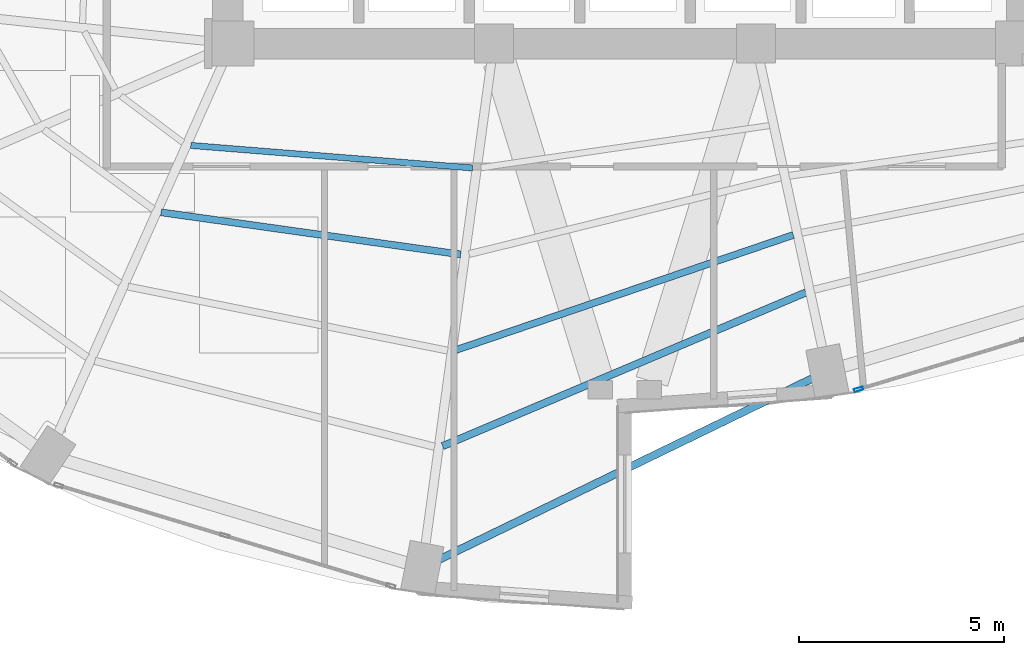
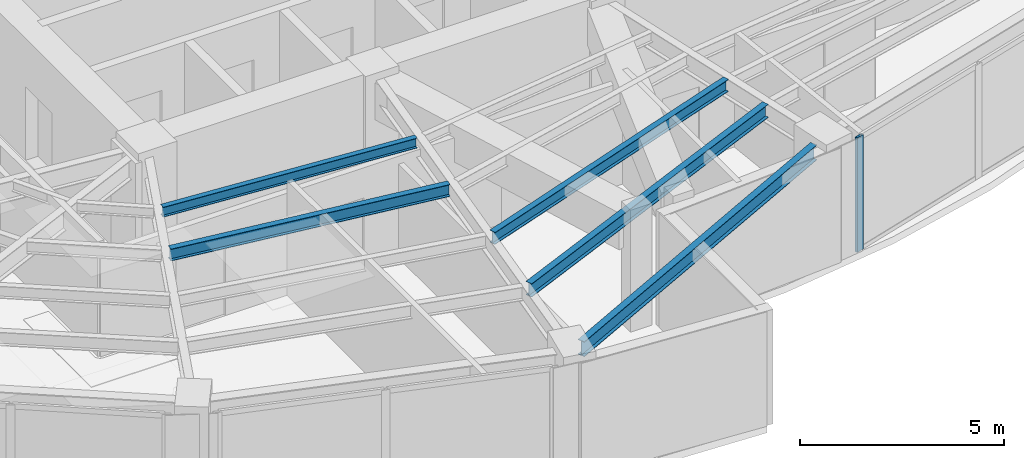
# One storey, part 6 of 24: 5 beams, 1 member, 1 element without a shape of its own.
"""IFC4 building model written with IfcOpenShell, lengths in metres."""

from ifc_helpers import new_model, si_unit, direction, frame, origin, origin_2d, place, context, subcontext, project, spatial, hollow_rectangle, i_section, extrude, material, layer, layer_set, material_profile, profile_set, type_object, element, aggregate, save


model = new_model("IFC4")

# Units and contexts
model_context = context("Model", 3, precision=1e-05, world=origin(), true_north=direction((0.0, 1.0)))
body_context = subcontext(model_context, "Body", "Model", "MODEL_VIEW")
ifc_project = project(units=[si_unit("LENGTHUNIT", "METRE"), si_unit("AREAUNIT", "SQUARE_METRE"), si_unit("VOLUMEUNIT", "CUBIC_METRE"), si_unit("PLANEANGLEUNIT", "RADIAN"), si_unit("MASSUNIT", "GRAM", prefix="KILO")], contexts=[model_context])

# Site, building, storey
site_placement = place(None, origin())
site = spatial("IfcSite", under=ifc_project, at=site_placement, CompositionType="ELEMENT")
building_placement = place(site_placement, origin())
building = spatial("IfcBuilding", under=site, at=building_placement, Name="Lazwardi Medical Tower", CompositionType="ELEMENT")
storey_placement = place(building_placement, frame((0.0, 0.0, 110.927978515625)))
storey = spatial("IfcBuildingStorey", under=building, at=storey_placement, Name="L28", CompositionType="ELEMENT", Elevation=110.927978515625)

# Beams
ifc_material_1 = material(Name="Steel S355", Category="steel")
ifc_material_profile_1 = material_profile(ifc_material_1, i_section(OverallWidth=0.179931640625, OverallDepth=0.39990234375, WebThickness=0.008544921875, FlangeThickness=0.013427734375, at=origin_2d()), Name="IPE 400")
ifc_profile_set_1 = profile_set([ifc_material_profile_1], Name="Steel S355")
beam_type_1 = type_object("IfcBeamType", Name="BM-SJ-01", PredefinedType="JOIST", material=ifc_profile_set_1)
beam_1_placement = place(storey_placement, frame((31.550537109375, 10.571533203125, 3.22802734375), z_axis=(0.920947307957, 0.389687125739, 0.0), x_axis=(-0.389687125739, 0.920947307957, 0.0)))
element("IfcBeam", 1, at=beam_1_placement, inside=storey, type_object=beam_type_1, Name="Secondary joist SJ-01 R1 B16 L28", PredefinedType="JOIST", context=body_context, shape_type="SweptSolid", body=[
    extrude(i_section(OverallWidth=0.179931640625, OverallDepth=0.39990234375, WebThickness=0.008544921875, FlangeThickness=0.013427734375, at=origin_2d()), origin(), (0.0, 0.0, 1.0), 9.63134765625),
])
ifc_material_profile_2 = material_profile(ifc_material_1, i_section(OverallWidth=0.169921875, OverallDepth=0.360107421875, WebThickness=0.008056640625, FlangeThickness=0.0126953125, at=origin_2d()), Name="IPE 360")
ifc_profile_set_2 = profile_set([ifc_material_profile_2], Name="Steel S355")
beam_type_2 = type_object("IfcBeamType", Name="BM-SJ-02", PredefinedType="JOIST", material=ifc_profile_set_2)
beam_2_placement = place(storey_placement, frame((31.874267578125, 12.91796875, 3.248046875), z_axis=(0.946467154368, 0.322800132749, 0.0), x_axis=(-0.322800132749, 0.946467154368, 0.0)))
element("IfcBeam", 2, at=beam_2_placement, inside=storey, type_object=beam_type_2, Name="Secondary joist SJ-02 R2 B16 L28", PredefinedType="JOIST", context=body_context, shape_type="SweptSolid", body=[
    extrude(i_section(OverallWidth=0.169921875, OverallDepth=0.360107421875, WebThickness=0.008056640625, FlangeThickness=0.0126953125, at=origin_2d()), origin(), (0.0, 0.0, 1.0), 8.70458984375),
])
beam_3_placement = place(storey_placement, frame((24.67431640625, 16.281005859375, 3.248046875), z_axis=(0.990260920731, -0.139223952222, 0.0), x_axis=(0.139223952222, 0.990260920731, 0.0)))
element("IfcBeam", 3, at=beam_3_placement, inside=storey, type_object=beam_type_2, Name="Secondary joist SJ-02 R3 B15 L28", PredefinedType="JOIST", context=body_context, shape_type="SweptSolid", body=[
    extrude(i_section(OverallWidth=0.169921875, OverallDepth=0.360107421875, WebThickness=0.008056640625, FlangeThickness=0.0126953125, at=origin_2d()), origin(), (0.0, 0.0, 1.0), 7.3896484375),
])
ifc_material_profile_3 = material_profile(ifc_material_1, i_section(OverallWidth=0.14990234375, OverallDepth=0.300048828125, WebThickness=0.007080078125, FlangeThickness=0.0107421875, at=origin_2d()), Name="IPE 300")
ifc_profile_set_3 = profile_set([ifc_material_profile_3], Name="Steel S355")
beam_type_3 = type_object("IfcBeamType", Name="BM-SJ-03", PredefinedType="JOIST", material=ifc_profile_set_3)
beam_4_placement = place(storey_placement, frame((25.400390625, 17.914306640625, 3.278076171875), z_axis=(0.996816178299, -0.079733974445, 0.0), x_axis=(0.079733974445, 0.996816178299, 0.0)))
element("IfcBeam", 4, at=beam_4_placement, inside=storey, type_object=beam_type_3, Name="Secondary joist SJ-03 R4 B15 L28", PredefinedType="JOIST", context=body_context, shape_type="SweptSolid", body=[
    extrude(i_section(OverallWidth=0.14990234375, OverallDepth=0.300048828125, WebThickness=0.007080078125, FlangeThickness=0.0107421875, at=origin_2d()), origin(), (0.0, 0.0, 1.0), 6.901611328125),
])
ifc_material_profile_4 = material_profile(ifc_material_1, i_section(OverallWidth=0.18994140625, OverallDepth=0.449951171875, WebThickness=0.009521484375, FlangeThickness=0.0146484375, at=origin_2d()), Name="IPE 450")
ifc_profile_set_4 = profile_set([ifc_material_profile_4], Name="Steel S355")
beam_type_4 = type_object("IfcBeamType", Name="BM-SP-01", PredefinedType="SPANDREL", material=ifc_profile_set_4)
beam_5_placement = place(storey_placement, frame((31.42333984375, 7.781494140625, 3.203125), z_axis=(0.899653336227, 0.436604941125, 0.0), x_axis=(-0.436604941125, 0.899653336227, 0.0)))
element("IfcBeam", 5, at=beam_5_placement, inside=storey, type_object=beam_type_4, Name="Spandrel beam SP-01 B16 L28", PredefinedType="SPANDREL", context=body_context, shape_type="SweptSolid", body=[
    extrude(i_section(OverallWidth=0.18994140625, OverallDepth=0.449951171875, WebThickness=0.009521484375, FlangeThickness=0.0146484375, at=origin_2d()), origin(), (0.0, 0.0, 1.0), 10.17431640625),
])

# Curtain wall, member
ifc_material_2 = material(Name="Anodised bronze aluminium and solar control glazing", Category="aluminium")
ifc_layer = layer(ifc_material_2, 0.195068359375)
ifc_layer_set = layer_set([ifc_layer], Name="Anodised bronze aluminium and solar control glazing")
curtain_wall_type = type_object("IfcCurtainWallType", Name="CW-SYS-03", PredefinedType="NOTDEFINED", material=ifc_layer_set)
curtain_wall_placement = place(storey_placement, origin())
curtain_wall = element("IfcCurtainWall", 6, at=curtain_wall_placement, inside=storey, type_object=curtain_wall_type, Name="L28 Unitised bronze curtain wall CW-03", PredefinedType="NOTDEFINED")
ifc_material_3 = material(Name="Anodised bronze aluminium", Category="aluminium")
ifc_material_profile_5 = material_profile(ifc_material_3, hollow_rectangle(XDim=0.074951171875, YDim=0.219970703125, WallThickness=0.00390625, at=origin_2d()), Name="ALU-MULLION 220x75x4")
ifc_profile_set_5 = profile_set([ifc_material_profile_5], Name="Anodised bronze aluminium")
member_type = type_object("IfcMemberType", Name="CW-MUL-01", PredefinedType="MULLION", material=ifc_profile_set_5)
member_placement = place(storey_placement, frame((41.710205078125, 11.9599609375, 0.0), z_axis=(0.0, 0.0, 1.0), x_axis=(-0.28937381157, 0.957216170558, 0.0)))
member = element("IfcMember", 7, at=member_placement, type_object=member_type, Name="CW-03 mullion 1", PredefinedType="MULLION", context=body_context, shape_type="SweptSolid", body=[
    extrude(hollow_rectangle(XDim=0.074951171875, YDim=0.219970703125, WallThickness=0.00390625, at=origin_2d()), origin(), (0.0, 0.0, 1.0), 3.427978515625),
])
aggregate(curtain_wall, [member])

save(model, "model.ifc")
